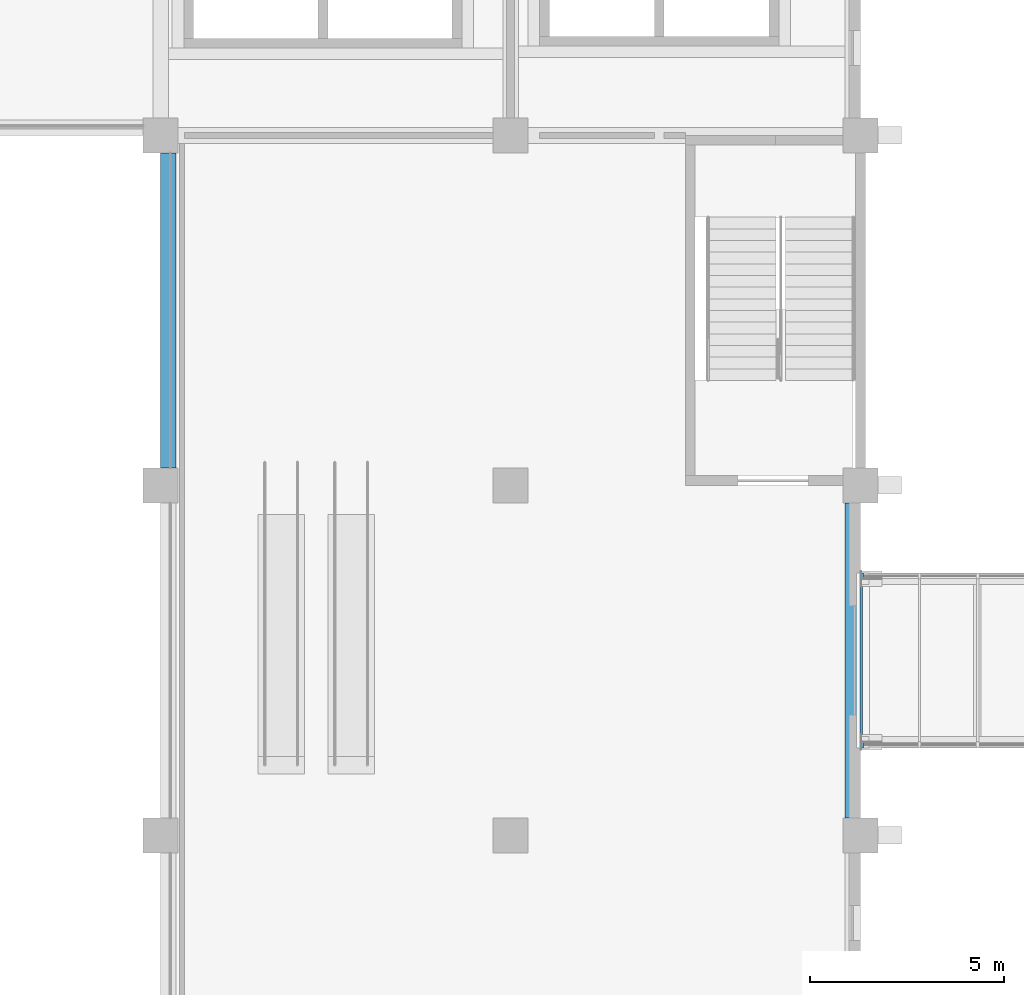
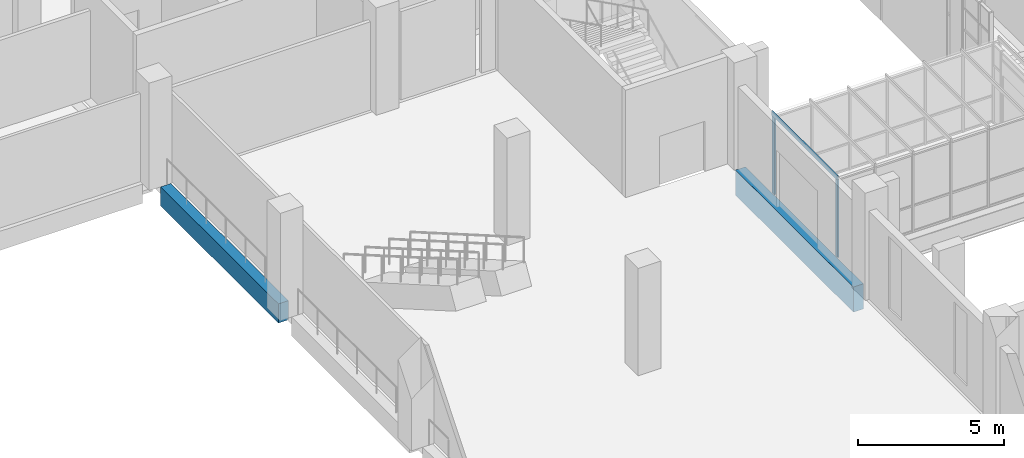
# One storey, part 13 of 88: 3 members, 2 beams, 3 elements without a shape of their own.
"""IFC4 building model written with IfcOpenShell, lengths in metres."""

from ifc_helpers import new_model, si_unit, direction, frame, origin, origin_2d, place, context, subcontext, project, spatial, rectangle, extrude, material, layer, layer_set, material_profile, profile_set, type_object, element, aggregate, save


model = new_model("IFC4")

# Units and contexts
model_context = context("Model", 3, precision=1e-05, world=origin(), true_north=direction((0.0, 1.0)))
body_context = subcontext(model_context, "Body", "Model", "MODEL_VIEW")
ifc_project = project(units=[si_unit("LENGTHUNIT", "METRE"), si_unit("AREAUNIT", "SQUARE_METRE"), si_unit("VOLUMEUNIT", "CUBIC_METRE"), si_unit("PLANEANGLEUNIT", "RADIAN"), si_unit("MASSUNIT", "GRAM", prefix="KILO")], contexts=[model_context])

# Site, building, storey
site_placement = place(None, origin())
site = spatial("IfcSite", under=ifc_project, at=site_placement, CompositionType="ELEMENT")
building_placement = place(site_placement, origin())
building = spatial("IfcBuilding", under=site, at=building_placement, Name="Guidao Yard Department Store", CompositionType="ELEMENT")
storey_placement = place(building_placement, frame((0.0, 0.0, 6.0)))
storey = spatial("IfcBuildingStorey", under=building, at=storey_placement, Name="L01", CompositionType="ELEMENT", Elevation=6.0)

# Beams
ifc_material_1 = material(Name="Concrete C40", Category="concrete")
ifc_material_profile_1 = material_profile(ifc_material_1, rectangle(XDim=0.39990234375, YDim=1.050048828125, at=origin_2d()), Name="Bridge landing beam 400 x 1050 C40")
ifc_profile_set_1 = profile_set([ifc_material_profile_1], Name="Concrete C40")
beam_type_1 = type_object("IfcBeamType", Name="Bridge landing beam 400 x 1050 C40", PredefinedType="BEAM", material=ifc_profile_set_1)
beam_1_placement = place(storey_placement, frame((62.800048828125, 72.449951171875, -0.52490234375), z_axis=(0.0, 1.0, 0.0), x_axis=(-1.0, 0.0, 0.0)))
element("IfcBeam", 1, at=beam_1_placement, inside=storey, type_object=beam_type_1, Name="Beam LB02", PredefinedType="BEAM", context=body_context, shape_type="SweptSolid", body=[
    extrude(rectangle(XDim=0.39990234375, YDim=1.050048828125, at=origin_2d()), origin(), (0.0, 0.0, 1.0), 8.10009765625),
])
ifc_material_2 = material(Name="Concrete C40", Category="concrete")
ifc_material_profile_2 = material_profile(ifc_material_2, rectangle(XDim=0.39990234375, YDim=0.800048828125, at=origin_2d()), Name="Edge beam 400 x 800 C40")
ifc_profile_set_2 = profile_set([ifc_material_profile_2], Name="Concrete C40")
beam_type_2 = type_object("IfcBeamType", Name="Edge beam 400 x 800 C40", PredefinedType="BEAM", material=ifc_profile_set_2)
beam_2_placement = place(storey_placement, frame((45.199951171875, 81.449951171875, -0.39990234375), z_axis=(0.0, 1.0, 0.0), x_axis=(-1.0, 0.0, 0.0)))
element("IfcBeam", 2, at=beam_2_placement, inside=storey, type_object=beam_type_2, Name="Beam EB21", PredefinedType="BEAM", context=body_context, shape_type="SweptSolid", body=[
    extrude(rectangle(XDim=0.39990234375, YDim=0.800048828125, at=origin_2d()), origin(), (0.0, 0.0, 1.0), 8.10009765625),
])

# Curtain wall, member
ifc_material_3 = material(Name="Aluminium and glass", Category="aluminium")
ifc_layer = layer(ifc_material_3, 0.159912109375)
ifc_layer_set = layer_set([ifc_layer], Name="Bridge glazing CW5 1500 module")
curtain_wall_type = type_object("IfcCurtainWallType", Name="Bridge glazing CW5 1500 module", PredefinedType="NOTDEFINED", material=ifc_layer_set)
curtain_wall_1_placement = place(storey_placement, origin())
curtain_wall_1 = element("IfcCurtainWall", 3, at=curtain_wall_1_placement, inside=storey, type_object=curtain_wall_type, Name="Bridge glazing BR02 S", PredefinedType="NOTDEFINED")
ifc_material_4 = material(Name="Aluminium 6063-T5", Category="aluminium")
ifc_material_profile_3 = material_profile(ifc_material_4, rectangle(XDim=0.06005859375, YDim=0.159912109375, at=origin_2d()), Name="Mullion M1 60 x 160 aluminium pressure plate")
ifc_profile_set_3 = profile_set([ifc_material_profile_3], Name="Aluminium 6063-T5")
member_type_1 = type_object("IfcMemberType", Name="Mullion M1 60 x 160 aluminium pressure plate", PredefinedType="MULLION", material=ifc_profile_set_3)
member_1_placement = place(storey_placement, frame((63.044921875, 74.330078125, 0.0), z_axis=(0.0, 0.0, 1.0), x_axis=(-1.0, 0.0, 0.0)))
member_1 = element("IfcMember", 4, at=member_1_placement, type_object=member_type_1, Name="CW-S-L01-03 mullion 1", PredefinedType="MULLION", context=body_context, shape_type="SweptSolid", body=[
    extrude(rectangle(XDim=0.06005859375, YDim=0.159912109375, at=origin_2d()), origin(), (0.0, 0.0, 1.0), 3.27001953125),
])
aggregate(curtain_wall_1, [member_1])

curtain_wall_2_placement = place(storey_placement, origin())
curtain_wall_2 = element("IfcCurtainWall", 5, at=curtain_wall_2_placement, inside=storey, type_object=curtain_wall_type, Name="Bridge glazing BR02 N", PredefinedType="NOTDEFINED")
member_2_placement = place(storey_placement, frame((63.044921875, 78.669921875, 0.0), z_axis=(0.0, 0.0, 1.0), x_axis=(1.0, 0.0, 0.0)))
member_2 = element("IfcMember", 6, at=member_2_placement, type_object=member_type_1, Name="CW-N-L01-04 mullion 1", PredefinedType="MULLION", context=body_context, shape_type="SweptSolid", body=[
    extrude(rectangle(XDim=0.06005859375, YDim=0.159912109375, at=origin_2d()), origin(), (0.0, 0.0, 1.0), 3.27001953125),
])
aggregate(curtain_wall_2, [member_2])

curtain_wall_3_placement = place(storey_placement, origin())
curtain_wall_3 = element("IfcCurtainWall", 7, at=curtain_wall_3_placement, inside=storey, type_object=curtain_wall_type, Name="Bridge roof glazing BR02", PredefinedType="NOTDEFINED")
ifc_material_5 = material(Name="Aluminium 6063-T5", Category="aluminium")
ifc_material_profile_4 = material_profile(ifc_material_5, rectangle(XDim=0.06005859375, YDim=0.159912109375, at=origin_2d()), Name="Roof bar RB1 60 x 160 aluminium")
ifc_profile_set_4 = profile_set([ifc_material_profile_4], Name="Aluminium 6063-T5")
member_type_2 = type_object("IfcMemberType", Name="Roof bar RB1 60 x 160 aluminium", PredefinedType="USERDEFINED", material=ifc_profile_set_4)
member_3_placement = place(storey_placement, frame((63.014892578125, 74.25, 3.35009765625), z_axis=(0.0, 1.0, 0.0), x_axis=(-1.0, 0.0, 0.0)))
member_3 = element("IfcMember", 8, at=member_3_placement, type_object=member_type_2, Name="Bridge roof bar BR02", ObjectType="TRANSOM", PredefinedType="USERDEFINED", context=body_context, shape_type="SweptSolid", body=[
    extrude(rectangle(XDim=0.06005859375, YDim=0.159912109375, at=origin_2d()), origin(), (0.0, 0.0, 1.0), 4.5),
])
aggregate(curtain_wall_3, [member_3])

save(model, "model.ifc")
